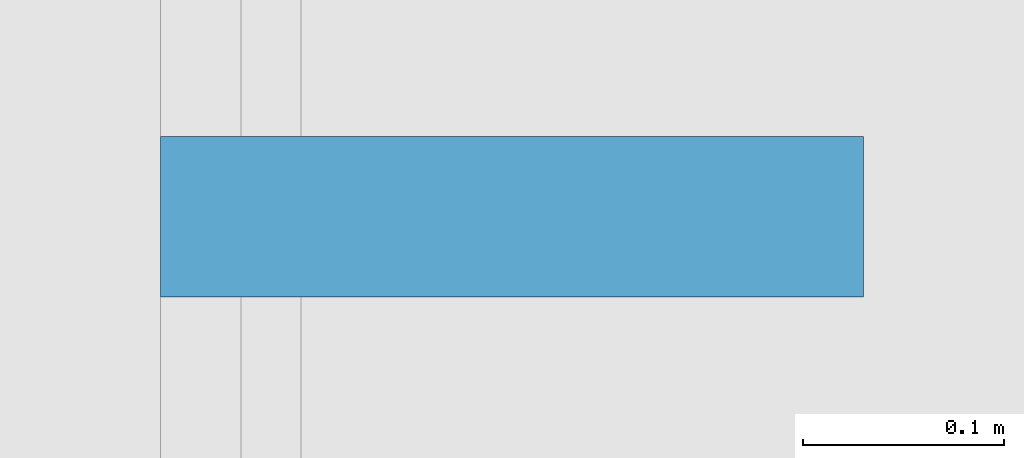
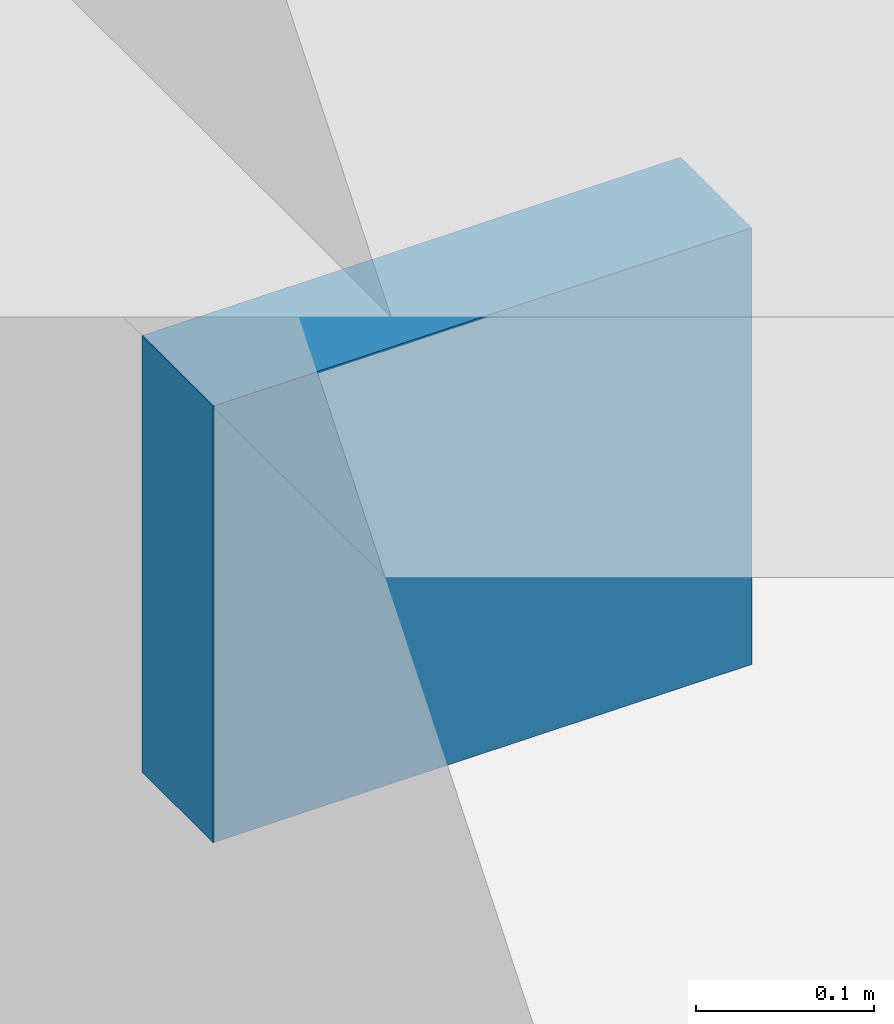
# One storey, part 86 of 161: 1 discrete accessory.
"""IFC4 building model written with IfcOpenShell, lengths in metres."""

from ifc_helpers import new_model, si_unit, direction, frame, origin, origin_2d, place, context, subcontext, project, spatial, rectangle, extrude, material, type_object, element, save


model = new_model("IFC4")

# Units and contexts
model_context = context("Model", 3, precision=1e-05, world=origin(), true_north=direction((0.0, 1.0)))
body_context = subcontext(model_context, "Body", "Model", "MODEL_VIEW")
ifc_project = project(units=[si_unit("LENGTHUNIT", "METRE"), si_unit("AREAUNIT", "SQUARE_METRE"), si_unit("VOLUMEUNIT", "CUBIC_METRE"), si_unit("PLANEANGLEUNIT", "RADIAN"), si_unit("MASSUNIT", "GRAM", prefix="KILO")], contexts=[model_context])

# Site, building, storey
site_placement = place(None, origin())
site = spatial("IfcSite", under=ifc_project, at=site_placement, CompositionType="ELEMENT")
building_placement = place(site_placement, origin())
building = spatial("IfcBuilding", under=site, at=building_placement, Name="Elbe Cascade School", CompositionType="ELEMENT")
storey_placement = place(building_placement, origin())
storey = spatial("IfcBuildingStorey", under=building, at=storey_placement, Name="L00", CompositionType="ELEMENT", Elevation=0.0)

# Discrete accessory
ifc_material = material(Name="Steel S355J2, hot-dip galvanised", Category="steel")
discrete_accessory_type = type_object("IfcDiscreteAccessoryType", Name="Bars envelope Bracket, galvanised steel", PredefinedType="BRACKET", material=ifc_material)
discrete_accessory_placement = place(storey_placement, frame((145.655029296875, 57.47998046875, 3.330078125), z_axis=(0.0, 0.0, 1.0), x_axis=(0.0, 1.0, 0.0)))
element("IfcDiscreteAccessory", 1, at=discrete_accessory_placement, inside=storey, type_object=discrete_accessory_type, Name="Bracket AC7 eave.e.6.br2", PredefinedType="BRACKET", context=body_context, shape_type="SweptSolid", body=[
    extrude(rectangle(XDim=0.080078125, YDim=0.35009765625, at=origin_2d()), origin(), (0.0, 0.0, 1.0), 0.300048828125),
])

save(model, "model.ifc")
